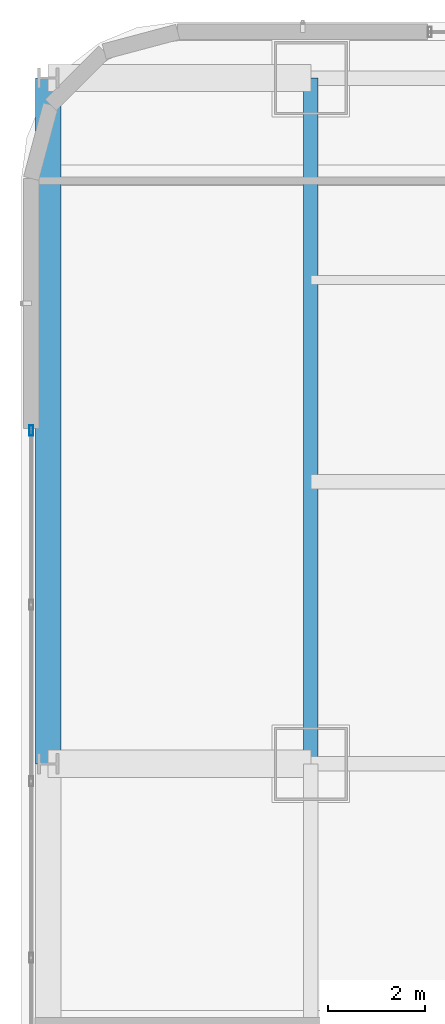
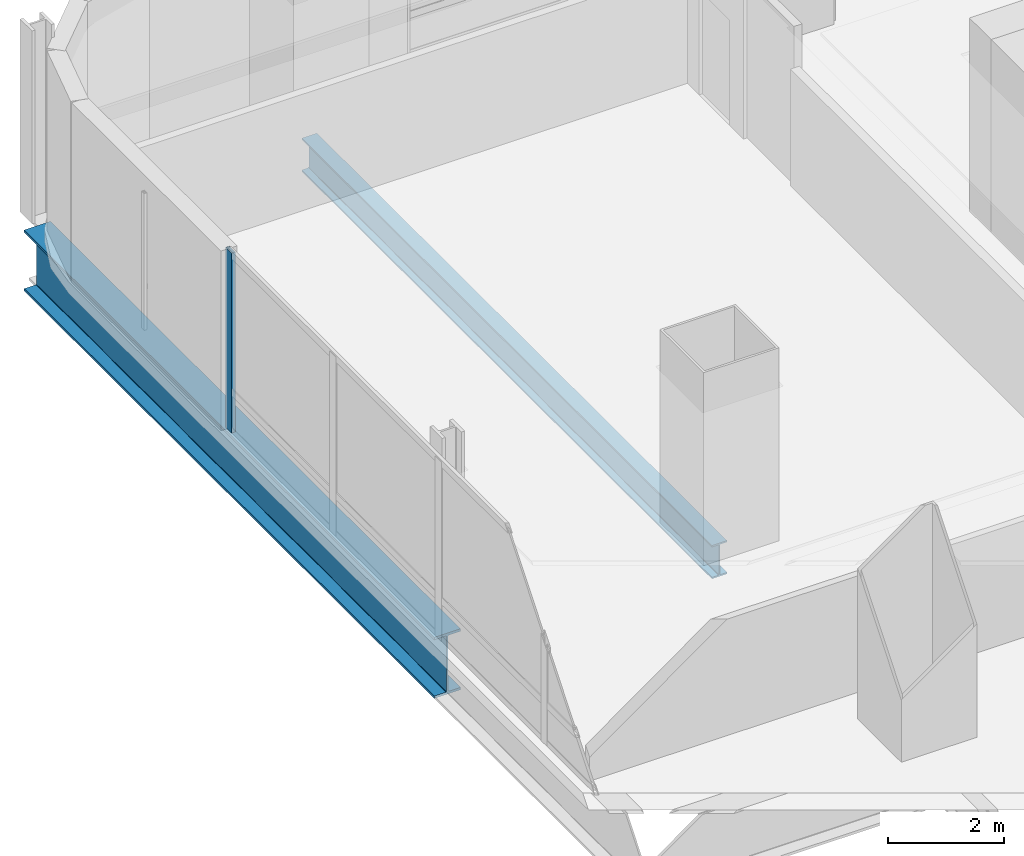
# One storey, part 17 of 45: 2 beams, 1 member, 1 element without a shape of its own.
"""IFC4 building model written with IfcOpenShell, lengths in metres."""

from ifc_helpers import new_model, si_unit, direction, frame, origin, origin_2d, place, context, subcontext, project, spatial, hollow_rectangle, i_section, extrude, material, material_profile, profile_set, type_object, element, aggregate, save


model = new_model("IFC4")

# Units and contexts
model_context = context("Model", 3, precision=1e-05, world=origin(), true_north=direction((0.0, 1.0)))
body_context = subcontext(model_context, "Body", "Model", "MODEL_VIEW")
ifc_project = project(units=[si_unit("LENGTHUNIT", "METRE"), si_unit("AREAUNIT", "SQUARE_METRE"), si_unit("VOLUMEUNIT", "CUBIC_METRE"), si_unit("PLANEANGLEUNIT", "RADIAN"), si_unit("MASSUNIT", "GRAM", prefix="KILO")], contexts=[model_context])

# Site, building, storey
site_placement = place(None, origin())
site = spatial("IfcSite", under=ifc_project, at=site_placement, CompositionType="ELEMENT")
building_placement = place(site_placement, origin())
building = spatial("IfcBuilding", under=site, at=building_placement, Name="Punatoya Terracotta Tower", CompositionType="ELEMENT")
storey_placement = place(building_placement, frame((0.0, 0.0, 56.550048828125)))
storey = spatial("IfcBuildingStorey", under=building, at=storey_placement, Name="L12", CompositionType="ELEMENT", Elevation=56.550048828125)

# Beams
ifc_material_1 = material(Name="Steel S355", Category="steel")
ifc_material_profile_1 = material_profile(ifc_material_1, i_section(OverallWidth=0.300048828125, OverallDepth=0.699951171875, WebThickness=0.01708984375, FlangeThickness=0.031982421875, FilletRadius=0.01806640625, at=origin_2d()))
ifc_profile_set_1 = profile_set([ifc_material_profile_1], Name="Steel S355")
beam_type_1 = type_object("IfcBeamType", Name="BM-PRI-700", PredefinedType="BEAM", material=ifc_profile_set_1)
beam_1_placement = place(storey_placement, frame((-19.10009765625, 3.39990234375, -0.590087890625), z_axis=(0.0, 1.0, 0.0), x_axis=(-1.0, 0.0, 0.0)))
element("IfcBeam", 1, at=beam_1_placement, inside=storey, type_object=beam_type_1, Name="BM-L12-RG-W3", PredefinedType="BEAM", context=body_context, shape_type="SweptSolid", body=[
    extrude(i_section(OverallWidth=0.300048828125, OverallDepth=0.699951171875, WebThickness=0.01708984375, FlangeThickness=0.031982421875, FilletRadius=0.01806640625, at=origin_2d()), origin(), (0.0, 0.0, 1.0), 14.10009765625),
])
ifc_material_2 = material(Name="Steel S460", Category="steel")
ifc_material_profile_2 = material_profile(ifc_material_2, i_section(OverallWidth=0.52001953125, OverallDepth=1.280029296875, WebThickness=0.031982421875, FlangeThickness=0.050048828125, FilletRadius=0.01806640625, at=origin_2d()))
ifc_profile_set_2 = profile_set([ifc_material_profile_2], Name="Steel S460")
beam_type_2 = type_object("IfcBeamType", Name="BM-TG-NCK", PredefinedType="BEAM", material=ifc_profile_set_2)
beam_2_placement = place(storey_placement, frame((-24.5, 3.39990234375, -0.880126953125), z_axis=(0.0, 1.0, 0.0), x_axis=(-1.0, 0.0, 0.0)))
element("IfcBeam", 2, at=beam_2_placement, inside=storey, type_object=beam_type_2, Name="BM-L12-PER-W3", PredefinedType="BEAM", context=body_context, shape_type="SweptSolid", body=[
    extrude(i_section(OverallWidth=0.52001953125, OverallDepth=1.280029296875, WebThickness=0.031982421875, FlangeThickness=0.050048828125, FilletRadius=0.01806640625, at=origin_2d()), origin(), (0.0, 0.0, 1.0), 14.10009765625),
])

# Curtain wall, member
ifc_material_3 = material(Name="Aluminium 6063-T6 + Double Low-E Glass", Category="aluminium")
curtain_wall_type = type_object("IfcCurtainWallType", Name="CW-M1", PredefinedType="NOTDEFINED", material=ifc_material_3)
curtain_wall_placement = place(storey_placement, origin())
curtain_wall = element("IfcCurtainWall", 3, at=curtain_wall_placement, inside=storey, type_object=curtain_wall_type, Name="L12 Curtain Wall CW-L12-W13-1", PredefinedType="NOTDEFINED")
ifc_material_4 = material(Name="Aluminium 6063-T6", Category="aluminium")
ifc_material_profile_3 = material_profile(ifc_material_4, hollow_rectangle(XDim=0.074951171875, YDim=0.2099609375, WallThickness=0.00439453125, at=origin_2d()))
ifc_profile_set_3 = profile_set([ifc_material_profile_3], Name="Aluminium 6063-T6")
member_type = type_object("IfcMemberType", Name="CW-MUL-M1", PredefinedType="MULLION", material=ifc_profile_set_3)
member_placement = place(storey_placement, frame((-24.85009765625, 10.2548828125, 0.0), z_axis=(0.0, 0.0, 1.0), x_axis=(1.0, 0.0, 0.0)))
member = element("IfcMember", 4, at=member_placement, type_object=member_type, Name="CW-L12-W13-1 Mullion 00", PredefinedType="MULLION", context=body_context, shape_type="SweptSolid", body=[
    extrude(hollow_rectangle(XDim=0.074951171875, YDim=0.2099609375, WallThickness=0.00439453125, at=origin_2d()), origin(), (0.0, 0.0, 1.0), 3.77001953125),
])
aggregate(curtain_wall, [member])

save(model, "model.ifc")
